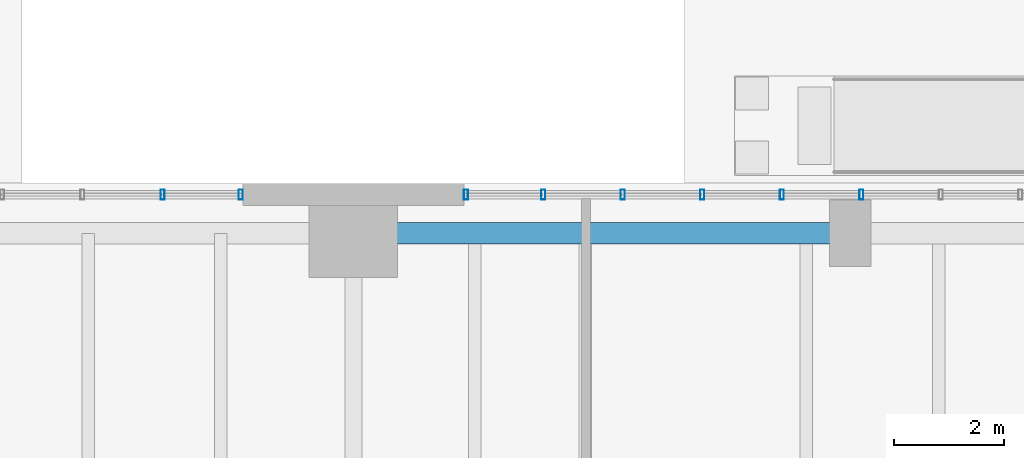
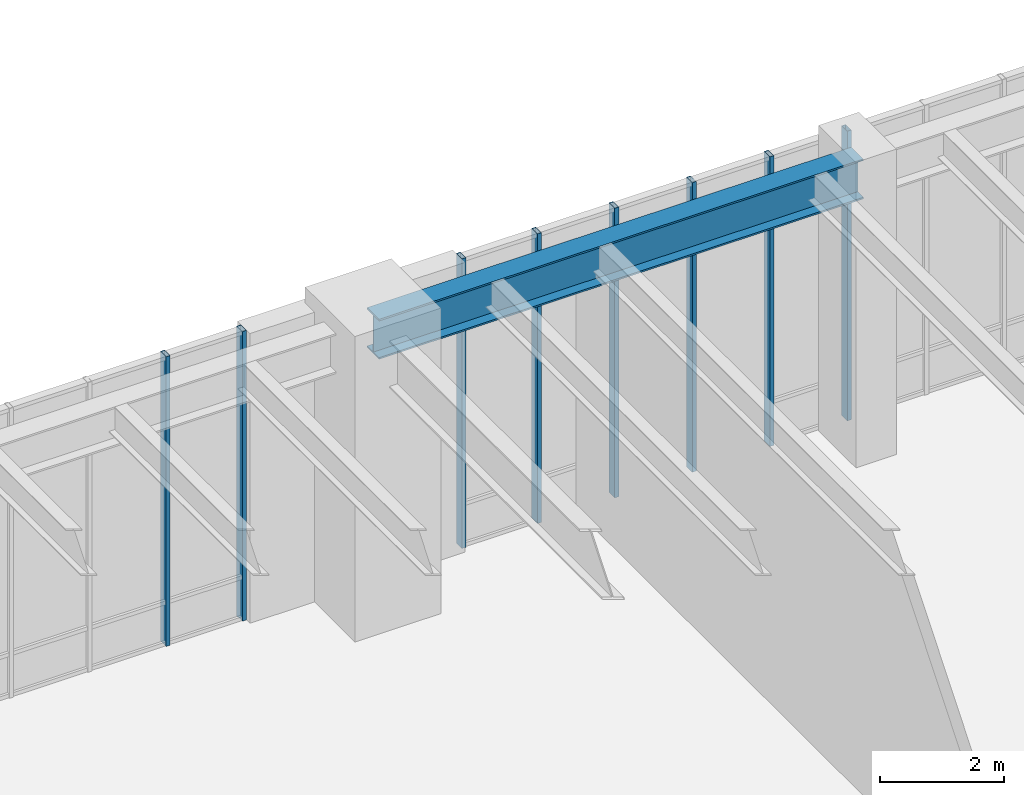
# One storey, part 13 of 28: 8 members, 1 beam, 2 elements without a shape of their own.
"""IFC4 building model written with IfcOpenShell, lengths in metres."""

from ifc_helpers import new_model, si_unit, direction, frame, origin, origin_2d, place, context, subcontext, project, spatial, hollow_rectangle, i_section, extrude, material, layer, layer_set, material_profile, profile_set, type_object, element, aggregate, save


model = new_model("IFC4")

# Units and contexts
model_context = context("Model", 3, precision=1e-05, world=origin(), true_north=direction((0.0, 1.0)))
body_context = subcontext(model_context, "Body", "Model", "MODEL_VIEW")
ifc_project = project(units=[si_unit("LENGTHUNIT", "METRE"), si_unit("AREAUNIT", "SQUARE_METRE"), si_unit("VOLUMEUNIT", "CUBIC_METRE"), si_unit("PLANEANGLEUNIT", "RADIAN"), si_unit("MASSUNIT", "GRAM", prefix="KILO"), si_unit("THERMODYNAMICTEMPERATUREUNIT", "KELVIN"), si_unit("POWERUNIT", "WATT")], contexts=[model_context])

# Site, building, storey
site_placement = place(None, origin())
site = spatial("IfcSite", under=ifc_project, at=site_placement, CompositionType="ELEMENT")
building_placement = place(site_placement, origin())
building = spatial("IfcBuilding", under=site, at=building_placement, Name="Skarre Station Tower", CompositionType="ELEMENT")
storey_placement = place(building_placement, origin())
storey = spatial("IfcBuildingStorey", under=building, at=storey_placement, Name="L01", CompositionType="ELEMENT", Elevation=0.0)

# Curtain wall, members
ifc_material_1 = material(Name="Thermally Broken Bronze-Anodized Aluminium & Triple Low-E Glass", Category="aluminium")
ifc_layer = layer(ifc_material_1, 0.239990234375, Name="Thermally Broken Bronze-Anodized Aluminium & Triple Low-E Glass")
ifc_layer_set = layer_set([ifc_layer], Name="Thermally Broken Bronze-Anodized Aluminium & Triple Low-E Glass")
curtain_wall_type = type_object("IfcCurtainWallType", Name="Station Concourse Monumental Unitised Curtain Wall", PredefinedType="NOTDEFINED", material=ifc_layer_set)
curtain_wall_1_placement = place(storey_placement, origin())
curtain_wall_1 = element("IfcCurtainWall", 1, at=curtain_wall_1_placement, inside=storey, type_object=curtain_wall_type, Name="L01 North Arcade West Curtain Wall", PredefinedType="NOTDEFINED")
ifc_material_2 = material(Name="Anodized Aluminium 6063-T6", Category="aluminium")
ifc_material_profile_1 = material_profile(ifc_material_2, hollow_rectangle(XDim=0.074951171875, YDim=0.179931640625, WallThickness=0.00390625, at=origin_2d()), Name="Anodized Aluminium 6063-T6")
ifc_profile_set_1 = profile_set([ifc_material_profile_1], Name="Anodized Aluminium 6063-T6")
member_type = type_object("IfcMemberType", Name="Curtain-Wall Heavy Concourse Mullion 180x75", PredefinedType="MULLION", material=ifc_profile_set_1)
member_1_placement = place(storey_placement, frame((32.544921875, 47.800048828125, 0.0), z_axis=(0.0, 0.0, 1.0), x_axis=(1.0, 0.0, 0.0)))
member_1 = element("IfcMember", 2, at=member_1_placement, type_object=member_type, Name="L01 North Arcade West Curtain Wall Mullion 11", PredefinedType="MULLION", context=body_context, shape_type="SweptSolid", body=[
    extrude(hollow_rectangle(XDim=0.074951171875, YDim=0.179931640625, WallThickness=0.00390625, at=origin_2d()), origin(), (0.0, 0.0, 1.0), 5.68994140625),
])
member_2_placement = place(storey_placement, frame((33.9599609375, 47.800048828125, 0.0), z_axis=(0.0, 0.0, 1.0), x_axis=(1.0, 0.0, 0.0)))
member_2 = element("IfcMember", 3, at=member_2_placement, type_object=member_type, Name="L01 North Arcade West Curtain Wall Mullion 12", PredefinedType="MULLION", context=body_context, shape_type="SweptSolid", body=[
    extrude(hollow_rectangle(XDim=0.074951171875, YDim=0.179931640625, WallThickness=0.00390625, at=origin_2d()), origin(), (0.0, 0.0, 1.0), 5.68994140625),
])
aggregate(curtain_wall_1, [member_1, member_2])

curtain_wall_2_placement = place(storey_placement, origin())
curtain_wall_2 = element("IfcCurtainWall", 4, at=curtain_wall_2_placement, inside=storey, type_object=curtain_wall_type, Name="L01 North Drop-Off Portal Curtain Wall", PredefinedType="NOTDEFINED")
member_3_placement = place(storey_placement, frame((38.0400390625, 47.800048828125, 0.0), z_axis=(0.0, 0.0, 1.0), x_axis=(1.0, 0.0, 0.0)))
member_3 = element("IfcMember", 5, at=member_3_placement, type_object=member_type, Name="L01 North Drop-Off Portal Curtain Wall Mullion 1", PredefinedType="MULLION", context=body_context, shape_type="SweptSolid", body=[
    extrude(hollow_rectangle(XDim=0.074951171875, YDim=0.179931640625, WallThickness=0.00390625, at=origin_2d()), origin(), (0.0, 0.0, 1.0), 5.68994140625),
])
member_4_placement = place(storey_placement, frame((39.43994140625, 47.800048828125, 0.0), z_axis=(0.0, 0.0, 1.0), x_axis=(1.0, 0.0, 0.0)))
member_4 = element("IfcMember", 6, at=member_4_placement, type_object=member_type, Name="L01 North Drop-Off Portal Curtain Wall Mullion 2", PredefinedType="MULLION", context=body_context, shape_type="SweptSolid", body=[
    extrude(hollow_rectangle(XDim=0.074951171875, YDim=0.179931640625, WallThickness=0.00390625, at=origin_2d()), origin(), (0.0, 0.0, 1.0), 5.68994140625),
])
member_5_placement = place(storey_placement, frame((40.8798828125, 47.800048828125, 0.0), z_axis=(0.0, 0.0, 1.0), x_axis=(1.0, 0.0, 0.0)))
member_5 = element("IfcMember", 7, at=member_5_placement, type_object=member_type, Name="L01 North Drop-Off Portal Curtain Wall Mullion 3", PredefinedType="MULLION", context=body_context, shape_type="SweptSolid", body=[
    extrude(hollow_rectangle(XDim=0.074951171875, YDim=0.179931640625, WallThickness=0.00390625, at=origin_2d()), origin(), (0.0, 0.0, 1.0), 5.68994140625),
])
member_6_placement = place(storey_placement, frame((42.320068359375, 47.800048828125, 0.0), z_axis=(0.0, 0.0, 1.0), x_axis=(1.0, 0.0, 0.0)))
member_6 = element("IfcMember", 8, at=member_6_placement, type_object=member_type, Name="L01 North Drop-Off Portal Curtain Wall Mullion 4", PredefinedType="MULLION", context=body_context, shape_type="SweptSolid", body=[
    extrude(hollow_rectangle(XDim=0.074951171875, YDim=0.179931640625, WallThickness=0.00390625, at=origin_2d()), origin(), (0.0, 0.0, 1.0), 5.68994140625),
])
member_7_placement = place(storey_placement, frame((43.760009765625, 47.800048828125, 0.0), z_axis=(0.0, 0.0, 1.0), x_axis=(1.0, 0.0, 0.0)))
member_7 = element("IfcMember", 9, at=member_7_placement, type_object=member_type, Name="L01 North Drop-Off Portal Curtain Wall Mullion 5", PredefinedType="MULLION", context=body_context, shape_type="SweptSolid", body=[
    extrude(hollow_rectangle(XDim=0.074951171875, YDim=0.179931640625, WallThickness=0.00390625, at=origin_2d()), origin(), (0.0, 0.0, 1.0), 5.68994140625),
])
member_8_placement = place(storey_placement, frame((45.199951171875, 47.800048828125, 0.0), z_axis=(0.0, 0.0, 1.0), x_axis=(1.0, 0.0, 0.0)))
member_8 = element("IfcMember", 10, at=member_8_placement, type_object=member_type, Name="L01 North Drop-Off Portal Curtain Wall Mullion 6", PredefinedType="MULLION", context=body_context, shape_type="SweptSolid", body=[
    extrude(hollow_rectangle(XDim=0.074951171875, YDim=0.179931640625, WallThickness=0.00390625, at=origin_2d()), origin(), (0.0, 0.0, 1.0), 5.68994140625),
])
aggregate(curtain_wall_2, [member_3, member_4, member_5, member_6, member_7, member_8])

# Beam
ifc_material_3 = material(Name="Steel ASTM A992 Grade 50", Category="steel")
ifc_material_profile_2 = material_profile(ifc_material_3, i_section(OverallWidth=0.384033203125, OverallDepth=0.785888671875, WebThickness=0.02001953125, FlangeThickness=0.032958984375, at=origin_2d()), Name="Steel ASTM A992 Grade 50")
ifc_profile_set_2 = profile_set([ifc_material_profile_2], Name="Steel ASTM A992 Grade 50")
beam_type = type_object("IfcBeamType", Name="Steel Spandrel W30X211", PredefinedType="SPANDREL", material=ifc_profile_set_2)
beam_placement = place(storey_placement, frame((36.0, 47.10009765625, 5.297119140625), z_axis=(1.0, 0.0, 0.0), x_axis=(0.0, 1.0, 0.0)))
element("IfcBeam", 11, at=beam_placement, inside=storey, type_object=beam_type, Name="L01 North Podium Spandrel 5", PredefinedType="SPANDREL", context=body_context, shape_type="SweptSolid", body=[
    extrude(i_section(OverallWidth=0.384033203125, OverallDepth=0.785888671875, WebThickness=0.02001953125, FlangeThickness=0.032958984375, at=origin_2d()), origin(), (0.0, 0.0, 1.0), 9.0),
])

save(model, "model.ifc")
